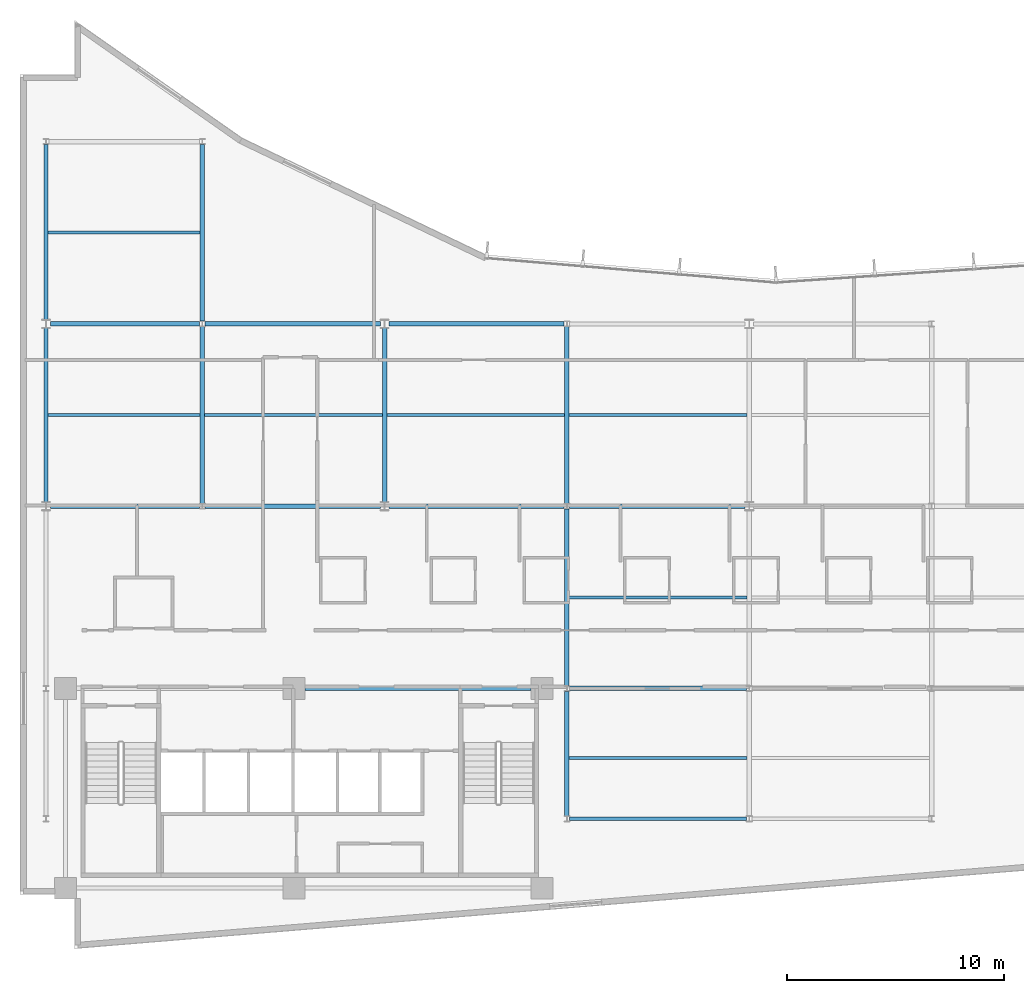
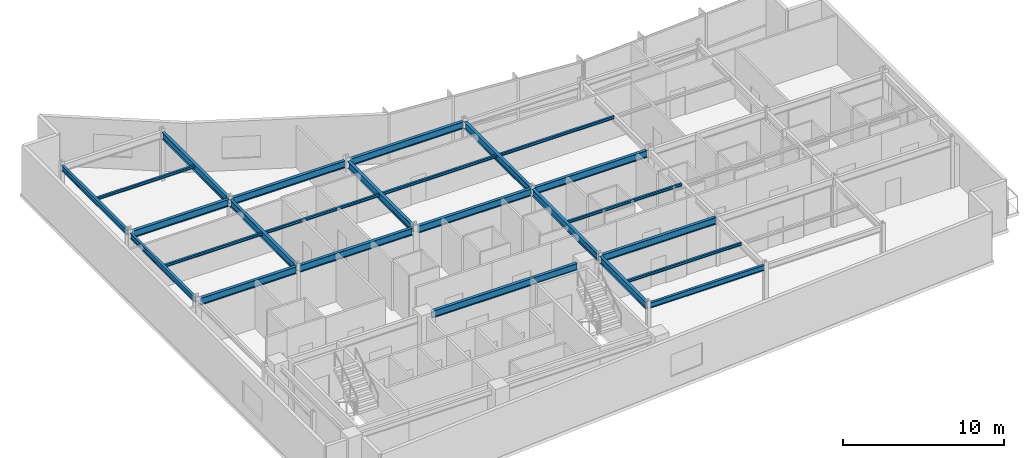
# One storey, part 4 of 15: 25 beams.
"""IFC4 building model written with IfcOpenShell, lengths in metres."""

from ifc_helpers import new_model, si_unit, direction, frame, origin, origin_2d, place, context, subcontext, project, spatial, i_section, extrude, material, material_profile, profile_set, type_object, element, save


model = new_model("IFC4")

# Units and contexts
model_context = context("Model", 3, precision=1e-05, world=origin(), true_north=direction((0.0, 1.0)))
body_context = subcontext(model_context, "Body", "Model", "MODEL_VIEW")
ifc_project = project(units=[si_unit("LENGTHUNIT", "METRE"), si_unit("AREAUNIT", "SQUARE_METRE"), si_unit("VOLUMEUNIT", "CUBIC_METRE"), si_unit("PLANEANGLEUNIT", "RADIAN"), si_unit("MASSUNIT", "GRAM", prefix="KILO")], contexts=[model_context])

# Site, building, storey
site_placement = place(None, origin())
site = spatial("IfcSite", under=ifc_project, at=site_placement, CompositionType="ELEMENT")
building_placement = place(site_placement, origin())
building = spatial("IfcBuilding", under=site, at=building_placement, Name="Varnakote Quay Hospital", CompositionType="ELEMENT")
storey_placement = place(building_placement, frame((0.0, 0.0, 196.050048828125)))
storey = spatial("IfcBuildingStorey", under=building, at=storey_placement, Name="L48", CompositionType="ELEMENT", Elevation=196.050048828125)

# Beams
ifc_material_1 = material(Name="Structural steel AS/NZS 3679.1 Grade 350 L0 (fy 340 MPa)", Category="steel")
ifc_material_profile_1 = material_profile(ifc_material_1, i_section(OverallWidth=0.208984375, OverallDepth=0.532958984375, WebThickness=0.01025390625, FlangeThickness=0.015625, FilletRadius=0.013916015625, at=origin_2d()), Name="530UB92.4")
ifc_profile_set_1 = profile_set([ifc_material_profile_1], Name="Structural steel AS/NZS 3679.1 Grade 350 L0 (fy 340 MPa)")
beam_type_1 = type_object("IfcBeamType", Name="BM-STL-530UB92-4", PredefinedType="BEAM", material=ifc_profile_set_1)
beam_1_placement = place(storey_placement, frame((13.1201171875, 12.0, 3.443359375), z_axis=(1.0, 0.0, 0.0), x_axis=(0.0, 1.0, 0.0)))
element("IfcBeam", 1, at=beam_1_placement, inside=storey, type_object=beam_type_1, Name="L48 Primary Floor Beam", PredefinedType="BEAM", context=body_context, shape_type="SweptSolid", body=[
    extrude(i_section(OverallWidth=0.208984375, OverallDepth=0.532958984375, WebThickness=0.01025390625, FlangeThickness=0.015625, FilletRadius=0.013916015625, at=origin_2d()), origin(), (0.0, 0.0, 1.0), 10.429931640625),
])
beam_2_placement = place(storey_placement, frame((25.327880859375, 12.0, 3.443359375), z_axis=(1.0, 0.0, 0.0), x_axis=(0.0, 1.0, 0.0)))
element("IfcBeam", 2, at=beam_2_placement, inside=storey, type_object=beam_type_1, Name="L48 Primary Floor Beam", PredefinedType="BEAM", context=body_context, shape_type="SweptSolid", body=[
    extrude(i_section(OverallWidth=0.208984375, OverallDepth=0.532958984375, WebThickness=0.01025390625, FlangeThickness=0.015625, FilletRadius=0.013916015625, at=origin_2d()), origin(), (0.0, 0.0, 1.0), 8.14404296875),
])
beam_3_placement = place(storey_placement, frame((1.39990234375, 20.39990234375, 3.443359375), z_axis=(1.0, 0.0, 0.0), x_axis=(0.0, 1.0, 0.0)))
element("IfcBeam", 3, at=beam_3_placement, inside=storey, type_object=beam_type_1, Name="L48 Primary Floor Beam", PredefinedType="BEAM", context=body_context, shape_type="SweptSolid", body=[
    extrude(i_section(OverallWidth=0.208984375, OverallDepth=0.532958984375, WebThickness=0.01025390625, FlangeThickness=0.015625, FilletRadius=0.013916015625, at=origin_2d()), origin(), (0.0, 0.0, 1.0), 6.8720703125),
])
for number, where, z_axis, x_axis, name in (
    (4, (8.528076171875, 20.39990234375, 3.443359375), (1.0, 0.0, 0.0), (0.0, 1.0, 0.0), "L48 Primary Floor Beam"),
    (5, (17.0, 20.39990234375, 3.443359375), (1.0, 0.0, 0.0), (0.0, 1.0, 0.0), "L48 Primary Floor Beam"),
    (6, (25.327880859375, 20.39990234375, 3.443359375), (1.0, 0.0, 0.0), (0.0, 1.0, 0.0), "L48 Primary Floor Beam"),
):
    element("IfcBeam", number, at=place(storey_placement, frame(where, z_axis=z_axis, x_axis=x_axis)), inside=storey, type_object=beam_type_1, Name=name, PredefinedType="BEAM", context=body_context, shape_type="SweptSolid", body=[
        extrude(i_section(OverallWidth=0.208984375, OverallDepth=0.532958984375, WebThickness=0.01025390625, FlangeThickness=0.015625, FilletRadius=0.013916015625, at=origin_2d()), origin(), (0.0, 0.0, 1.0), 8.072021484375),
    ])
beam_4_placement = place(storey_placement, frame((1.39990234375, 28.800048828125, 3.443359375), z_axis=(1.0, 0.0, 0.0), x_axis=(0.0, 1.0, 0.0)))
element("IfcBeam", 7, at=beam_4_placement, inside=storey, type_object=beam_type_1, Name="L48 Primary Floor Beam", PredefinedType="BEAM", context=body_context, shape_type="SweptSolid", body=[
    extrude(i_section(OverallWidth=0.208984375, OverallDepth=0.532958984375, WebThickness=0.01025390625, FlangeThickness=0.015625, FilletRadius=0.013916015625, at=origin_2d()), origin(), (0.0, 0.0, 1.0), 6.8720703125),
])
for number, where, z_axis, x_axis, name in (
    (8, (8.528076171875, 28.800048828125, 3.443359375), (1.0, 0.0, 0.0), (0.0, 1.0, 0.0), "L48 Primary Floor Beam"),
    (9, (17.0, 28.800048828125, 3.443359375), (1.0, 0.0, 0.0), (0.0, 1.0, 0.0), "L48 Primary Floor Beam"),
):
    element("IfcBeam", number, at=place(storey_placement, frame(where, z_axis=z_axis, x_axis=x_axis)), inside=storey, type_object=beam_type_1, Name=name, PredefinedType="BEAM", context=body_context, shape_type="SweptSolid", body=[
        extrude(i_section(OverallWidth=0.208984375, OverallDepth=0.532958984375, WebThickness=0.01025390625, FlangeThickness=0.015625, FilletRadius=0.013916015625, at=origin_2d()), origin(), (0.0, 0.0, 1.0), 8.072021484375),
    ])
beam_5_placement = place(storey_placement, frame((8.39990234375, 20.530029296875, 3.443359375), z_axis=(0.0, 1.0, 0.0), x_axis=(-1.0, 0.0, 0.0)))
element("IfcBeam", 10, at=beam_5_placement, inside=storey, type_object=beam_type_1, Name="L48 Primary Tie Beam", PredefinedType="BEAM", context=body_context, shape_type="SweptSolid", body=[
    extrude(i_section(OverallWidth=0.208984375, OverallDepth=0.532958984375, WebThickness=0.01025390625, FlangeThickness=0.015625, FilletRadius=0.013916015625, at=origin_2d()), origin(), (0.0, 0.0, 1.0), 8.139892578125),
])
beam_6_placement = place(storey_placement, frame((8.39990234375, 28.929931640625, 3.443359375), z_axis=(0.0, 1.0, 0.0), x_axis=(-1.0, 0.0, 0.0)))
element("IfcBeam", 11, at=beam_6_placement, inside=storey, type_object=beam_type_1, Name="L48 Primary Tie Beam", PredefinedType="BEAM", context=body_context, shape_type="SweptSolid", body=[
    extrude(i_section(OverallWidth=0.208984375, OverallDepth=0.532958984375, WebThickness=0.01025390625, FlangeThickness=0.015625, FilletRadius=0.013916015625, at=origin_2d()), origin(), (0.0, 0.0, 1.0), 8.14013671875),
])
beam_7_placement = place(storey_placement, frame((16.800048828125, 20.60205078125, 3.443359375), z_axis=(0.0, 1.0, 0.0), x_axis=(-1.0, 0.0, 0.0)))
element("IfcBeam", 12, at=beam_7_placement, inside=storey, type_object=beam_type_1, Name="L48 Primary Tie Beam", PredefinedType="BEAM", context=body_context, shape_type="SweptSolid", body=[
    extrude(i_section(OverallWidth=0.208984375, OverallDepth=0.532958984375, WebThickness=0.01025390625, FlangeThickness=0.015625, FilletRadius=0.013916015625, at=origin_2d()), origin(), (0.0, 0.0, 1.0), 7.995849609375),
])
beam_8_placement = place(storey_placement, frame((25.199951171875, 6.1298828125, 3.443359375), z_axis=(0.0, 1.0, 0.0), x_axis=(-1.0, 0.0, 0.0)))
element("IfcBeam", 13, at=beam_8_placement, inside=storey, type_object=beam_type_1, Name="L48 Primary Tie Beam", PredefinedType="BEAM", context=body_context, shape_type="SweptSolid", body=[
    extrude(i_section(OverallWidth=0.208984375, OverallDepth=0.532958984375, WebThickness=0.01025390625, FlangeThickness=0.015625, FilletRadius=0.013916015625, at=origin_2d()), origin(), (0.0, 0.0, 1.0), 5.740234375),
])
beam_9_placement = place(storey_placement, frame((25.199951171875, 12.1298828125, 3.443359375), z_axis=(0.0, 1.0, 0.0), x_axis=(-1.0, 0.0, 0.0)))
element("IfcBeam", 14, at=beam_9_placement, inside=storey, type_object=beam_type_1, Name="L48 Primary Tie Beam", PredefinedType="BEAM", context=body_context, shape_type="SweptSolid", body=[
    extrude(i_section(OverallWidth=0.208984375, OverallDepth=0.532958984375, WebThickness=0.01025390625, FlangeThickness=0.015625, FilletRadius=0.013916015625, at=origin_2d()), origin(), (0.0, 0.0, 1.0), 8.14013671875),
])
beam_10_placement = place(storey_placement, frame((25.199951171875, 20.530029296875, 3.443359375), z_axis=(0.0, 1.0, 0.0), x_axis=(-1.0, 0.0, 0.0)))
element("IfcBeam", 15, at=beam_10_placement, inside=storey, type_object=beam_type_1, Name="L48 Primary Tie Beam", PredefinedType="BEAM", context=body_context, shape_type="SweptSolid", body=[
    extrude(i_section(OverallWidth=0.208984375, OverallDepth=0.532958984375, WebThickness=0.01025390625, FlangeThickness=0.015625, FilletRadius=0.013916015625, at=origin_2d()), origin(), (0.0, 0.0, 1.0), 8.139892578125),
])
ifc_material_2 = material(Name="Structural steel AS/NZS 3679.1 Grade 350 L0 (fy 340 MPa)", Category="steel")
ifc_material_profile_2 = material_profile(ifc_material_2, i_section(OverallWidth=0.134033203125, OverallDepth=0.20703125, WebThickness=0.00634765625, FlangeThickness=0.009521484375, FilletRadius=0.0087890625, at=origin_2d()), Name="200UB29.8")
ifc_profile_set_2 = profile_set([ifc_material_profile_2], Name="Structural steel AS/NZS 3679.1 Grade 350 L0 (fy 340 MPa)")
beam_type_2 = type_object("IfcBeamType", Name="JST-STL-200UB29-8", PredefinedType="JOIST", material=ifc_profile_set_2)
for number, where, z_axis, x_axis, name in (
    (16, (25.304443359375, 8.800048828125, 3.6064453125), (1.0, 0.0, 0.0), (0.0, 1.0, 0.0), "L48 Composite Floor Joist"),
    (17, (25.304443359375, 16.199951171875, 3.6064453125), (1.0, 0.0, 0.0), (0.0, 1.0, 0.0), "L48 Composite Floor Joist"),
):
    element("IfcBeam", number, at=place(storey_placement, frame(where, z_axis=z_axis, x_axis=x_axis)), inside=storey, type_object=beam_type_2, Name=name, PredefinedType="JOIST", context=body_context, shape_type="SweptSolid", body=[
        extrude(i_section(OverallWidth=0.134033203125, OverallDepth=0.20703125, WebThickness=0.00634765625, FlangeThickness=0.009521484375, FilletRadius=0.0087890625, at=origin_2d()), origin(), (0.0, 0.0, 1.0), 8.191162109375),
    ])
beam_11_placement = place(storey_placement, frame((1.2890625, 24.60009765625, 3.6064453125), z_axis=(1.0, 0.0, 0.0), x_axis=(0.0, 1.0, 0.0)))
element("IfcBeam", 18, at=beam_11_placement, inside=storey, type_object=beam_type_2, Name="L48 Composite Floor Joist", PredefinedType="JOIST", context=body_context, shape_type="SweptSolid", body=[
    extrude(i_section(OverallWidth=0.134033203125, OverallDepth=0.20703125, WebThickness=0.00634765625, FlangeThickness=0.009521484375, FilletRadius=0.0087890625, at=origin_2d()), origin(), (0.0, 0.0, 1.0), 7.00634765625),
])
beam_12_placement = place(storey_placement, frame((8.50439453125, 24.60009765625, 3.6064453125), z_axis=(1.0, 0.0, 0.0), x_axis=(0.0, 1.0, 0.0)))
element("IfcBeam", 19, at=beam_12_placement, inside=storey, type_object=beam_type_2, Name="L48 Composite Floor Joist", PredefinedType="JOIST", context=body_context, shape_type="SweptSolid", body=[
    extrude(i_section(OverallWidth=0.134033203125, OverallDepth=0.20703125, WebThickness=0.00634765625, FlangeThickness=0.009521484375, FilletRadius=0.0087890625, at=origin_2d()), origin(), (0.0, 0.0, 1.0), 8.191162109375),
])
beam_13_placement = place(storey_placement, frame((16.904541015625, 24.60009765625, 3.6064453125), z_axis=(1.0, 0.0, 0.0), x_axis=(0.0, 1.0, 0.0)))
element("IfcBeam", 20, at=beam_13_placement, inside=storey, type_object=beam_type_2, Name="L48 Composite Floor Joist", PredefinedType="JOIST", context=body_context, shape_type="SweptSolid", body=[
    extrude(i_section(OverallWidth=0.134033203125, OverallDepth=0.20703125, WebThickness=0.00634765625, FlangeThickness=0.009521484375, FilletRadius=0.0087890625, at=origin_2d()), origin(), (0.0, 0.0, 1.0), 8.19091796875),
])
beam_14_placement = place(storey_placement, frame((25.304443359375, 24.60009765625, 3.6064453125), z_axis=(1.0, 0.0, 0.0), x_axis=(0.0, 1.0, 0.0)))
element("IfcBeam", 21, at=beam_14_placement, inside=storey, type_object=beam_type_2, Name="L48 Composite Floor Joist", PredefinedType="JOIST", context=body_context, shape_type="SweptSolid", body=[
    extrude(i_section(OverallWidth=0.134033203125, OverallDepth=0.20703125, WebThickness=0.00634765625, FlangeThickness=0.009521484375, FilletRadius=0.0087890625, at=origin_2d()), origin(), (0.0, 0.0, 1.0), 8.191162109375),
])
beam_15_placement = place(storey_placement, frame((1.2890625, 33.0, 3.6064453125), z_axis=(1.0, 0.0, 0.0), x_axis=(0.0, 1.0, 0.0)))
element("IfcBeam", 22, at=beam_15_placement, inside=storey, type_object=beam_type_2, Name="L48 Composite Floor Joist", PredefinedType="JOIST", context=body_context, shape_type="SweptSolid", body=[
    extrude(i_section(OverallWidth=0.134033203125, OverallDepth=0.20703125, WebThickness=0.00634765625, FlangeThickness=0.009521484375, FilletRadius=0.0087890625, at=origin_2d()), origin(), (0.0, 0.0, 1.0), 7.00634765625),
])
ifc_material_3 = material(Name="Structural steel AS/NZS 3679.1 Grade 350 L0 (fy 340 MPa)", Category="steel")
ifc_material_profile_3 = material_profile(ifc_material_3, i_section(OverallWidth=0.177978515625, OverallDepth=0.403076171875, WebThickness=0.007568359375, FlangeThickness=0.010986328125, FilletRadius=0.011474609375, at=origin_2d()), Name="410UB53.7")
ifc_profile_set_3 = profile_set([ifc_material_profile_3], Name="Structural steel AS/NZS 3679.1 Grade 350 L0 (fy 340 MPa)")
beam_type_3 = type_object("IfcBeamType", Name="SPN-STL-410UB53-7", PredefinedType="SPANDREL", material=ifc_profile_set_3)
beam_16_placement = place(storey_placement, frame((1.199951171875, 20.60205078125, 3.508544921875), z_axis=(0.0, 1.0, 0.0), x_axis=(-1.0, 0.0, 0.0)))
element("IfcBeam", 23, at=beam_16_placement, inside=storey, type_object=beam_type_3, Name="L48 Perimeter Spandrel Beam", PredefinedType="SPANDREL", context=body_context, shape_type="SweptSolid", body=[
    extrude(i_section(OverallWidth=0.177978515625, OverallDepth=0.403076171875, WebThickness=0.007568359375, FlangeThickness=0.010986328125, FilletRadius=0.011474609375, at=origin_2d()), origin(), (0.0, 0.0, 1.0), 7.995849609375),
])
beam_17_placement = place(storey_placement, frame((1.199951171875, 29.001953125, 3.508544921875), z_axis=(0.0, 1.0, 0.0), x_axis=(-1.0, 0.0, 0.0)))
element("IfcBeam", 24, at=beam_17_placement, inside=storey, type_object=beam_type_3, Name="L48 Perimeter Spandrel Beam", PredefinedType="SPANDREL", context=body_context, shape_type="SweptSolid", body=[
    extrude(i_section(OverallWidth=0.177978515625, OverallDepth=0.403076171875, WebThickness=0.007568359375, FlangeThickness=0.010986328125, FilletRadius=0.011474609375, at=origin_2d()), origin(), (0.0, 0.0, 1.0), 8.068115234375),
])
ifc_material_4 = material(Name="Structural steel AS/NZS 3679.1 Grade 350 L0 (fy 340 MPa)", Category="steel")
ifc_material_profile_4 = material_profile(ifc_material_4, i_section(OverallWidth=0.177978515625, OverallDepth=0.406005859375, WebThickness=0.0078125, FlangeThickness=0.0126953125, FilletRadius=0.011474609375, at=origin_2d()), Name="410UB59.7")
ifc_profile_set_4 = profile_set([ifc_material_profile_4], Name="Structural steel AS/NZS 3679.1 Grade 350 L0 (fy 340 MPa)")
beam_type_4 = type_object("IfcBeamType", Name="SPN-STL-410UB59-7", PredefinedType="SPANDREL", material=ifc_profile_set_4)
beam_18_placement = place(storey_placement, frame((25.327880859375, 6.0, 3.5068359375), z_axis=(1.0, 0.0, 0.0), x_axis=(0.0, 1.0, 0.0)))
element("IfcBeam", 25, at=beam_18_placement, inside=storey, type_object=beam_type_4, Name="L48 Perimeter Spandrel Beam", PredefinedType="SPANDREL", context=body_context, shape_type="SweptSolid", body=[
    extrude(i_section(OverallWidth=0.177978515625, OverallDepth=0.406005859375, WebThickness=0.0078125, FlangeThickness=0.0126953125, FilletRadius=0.011474609375, at=origin_2d()), origin(), (0.0, 0.0, 1.0), 8.14404296875),
])

save(model, "model.ifc")
